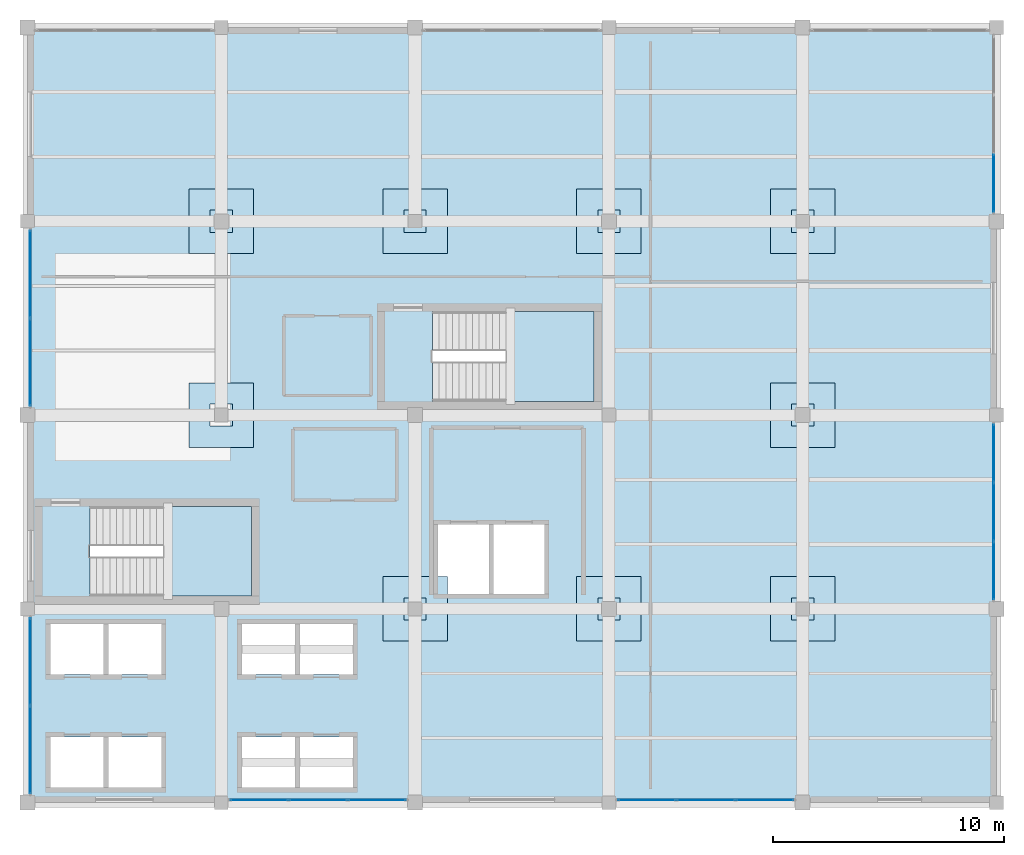
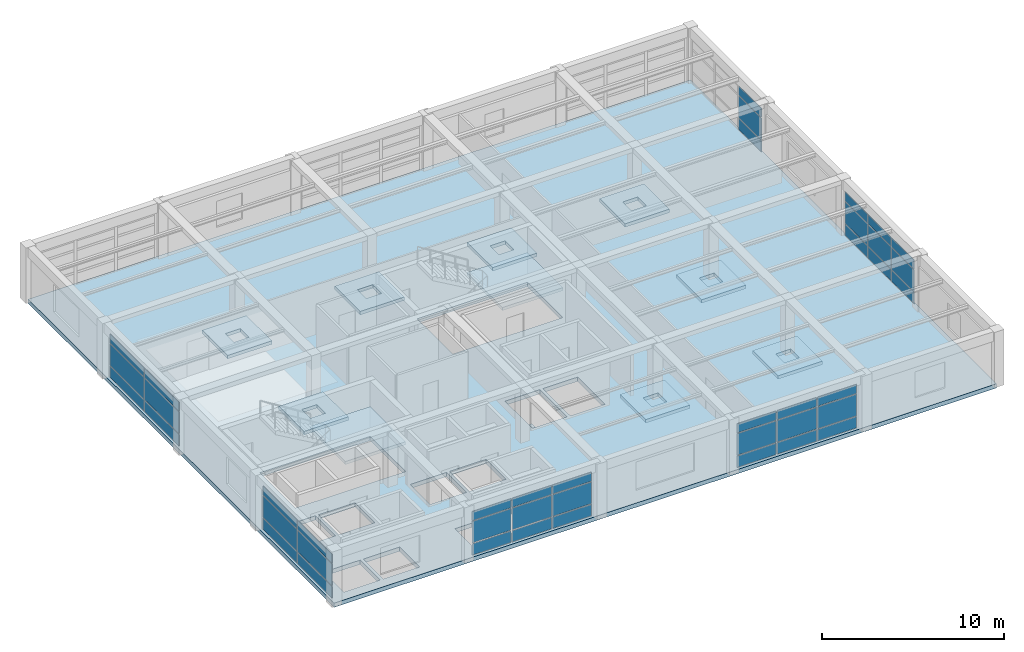
# One storey, part 22 of 26: 42 plates, 12 slabs, 8 elements without a shape of their own.
"""IFC4 building model written with IfcOpenShell, lengths in metres."""

from ifc_helpers import new_model, si_unit, direction, frame, origin, origin_2d, place, context, subcontext, project, spatial, polyline, rectangle, outline, extrude, material, layer, layer_set, type_object, element, aggregate, save


model = new_model("IFC4")

# Units and contexts
model_context = context("Model", 3, precision=1e-05, world=origin(), true_north=direction((0.0, 1.0)))
body_context = subcontext(model_context, "Body", "Model", "MODEL_VIEW")
ifc_project = project(units=[si_unit("LENGTHUNIT", "METRE"), si_unit("AREAUNIT", "SQUARE_METRE"), si_unit("VOLUMEUNIT", "CUBIC_METRE"), si_unit("PLANEANGLEUNIT", "RADIAN"), si_unit("MASSUNIT", "GRAM", prefix="KILO")], contexts=[model_context])

# Site, building, storey
site_placement = place(None, origin())
site = spatial("IfcSite", under=ifc_project, at=site_placement, CompositionType="ELEMENT")
building_placement = place(site_placement, origin())
building = spatial("IfcBuilding", under=site, at=building_placement, Name="Almacenes y Pasaje Nevantli", CompositionType="ELEMENT")
storey_placement = place(building_placement, frame((0.0, 0.0, 46.699951171875)))
storey = spatial("IfcBuildingStorey", under=building, at=storey_placement, Name="L11", CompositionType="ELEMENT", Elevation=46.699951171875)

# Curtain wall, plates
ifc_material_1 = material(Name="Thermally Broken Aluminium and Low-E Glass", Category="aluminium")
curtain_wall_type = type_object("IfcCurtainWallType", Name="CW-UNIT-TOWER", PredefinedType="USERDEFINED", material=ifc_material_1)
curtain_wall_1_placement = place(storey_placement, origin())
curtain_wall_1 = element("IfcCurtainWall", 1, at=curtain_wall_1_placement, inside=storey, type_object=curtain_wall_type, Name="L11 Tower South Unitized Curtain Wall Bay 16", ObjectType="UNITIZED CURTAIN WALL", PredefinedType="USERDEFINED")
ifc_material_2 = material(Name="Low-E Double Glazed Insulated Unit", Category="glass")
ifc_layer_1 = layer(ifc_material_2, 0.031982421875)
ifc_layer_set_1 = layer_set([ifc_layer_1], Name="Low-E Double Glazed Insulated Unit")
plate_type_1 = type_object("IfcPlateType", Name="PL-IGU-32", PredefinedType="CURTAIN_PANEL", material=ifc_layer_set_1)
plate_1_placement = place(storey_placement, frame((127.6484375, 67.320068359375, 0.06005859375), z_axis=(0.0, 0.0, 1.0), x_axis=(1.0, 0.0, 0.0)))
plate_1 = element("IfcPlate", 2, at=plate_1_placement, type_object=plate_type_1, Name="CW-L11-151 panel 1.1", PredefinedType="CURTAIN_PANEL", context=body_context, shape_type="SweptSolid", body=[
    extrude(rectangle(XDim=2.4765625, YDim=0.031982421875, at=origin_2d()), origin(), (0.0, 0.0, 1.0), 0.760009765625),
])
plate_2_placement = place(storey_placement, frame((127.6484375, 67.320068359375, 0.880126953125), z_axis=(0.0, 0.0, 1.0), x_axis=(1.0, 0.0, 0.0)))
plate_2 = element("IfcPlate", 3, at=plate_2_placement, type_object=plate_type_1, Name="CW-L11-151 panel 1.2", PredefinedType="CURTAIN_PANEL", context=body_context, shape_type="SweptSolid", body=[
    extrude(rectangle(XDim=2.4765625, YDim=0.031982421875, at=origin_2d()), origin(), (0.0, 0.0, 1.0), 1.43994140625),
])
plate_3_placement = place(storey_placement, frame((127.6484375, 67.320068359375, 2.3798828125), z_axis=(0.0, 0.0, 1.0), x_axis=(1.0, 0.0, 0.0)))
plate_3 = element("IfcPlate", 4, at=plate_3_placement, type_object=plate_type_1, Name="CW-L11-151 panel 1.3", PredefinedType="CURTAIN_PANEL", context=body_context, shape_type="SweptSolid", body=[
    extrude(rectangle(XDim=2.4765625, YDim=0.031982421875, at=origin_2d()), origin(), (0.0, 0.0, 1.0), 0.60009765625),
])
plate_4_placement = place(storey_placement, frame((130.199951171875, 67.320068359375, 0.06005859375), z_axis=(0.0, 0.0, 1.0), x_axis=(1.0, 0.0, 0.0)))
plate_4 = element("IfcPlate", 5, at=plate_4_placement, type_object=plate_type_1, Name="CW-L11-151 panel 2.1", PredefinedType="CURTAIN_PANEL", context=body_context, shape_type="SweptSolid", body=[
    extrude(rectangle(XDim=2.506591796875, YDim=0.031982421875, at=origin_2d()), origin(), (0.0, 0.0, 1.0), 0.760009765625),
])
plate_5_placement = place(storey_placement, frame((130.199951171875, 67.320068359375, 0.880126953125), z_axis=(0.0, 0.0, 1.0), x_axis=(1.0, 0.0, 0.0)))
plate_5 = element("IfcPlate", 6, at=plate_5_placement, type_object=plate_type_1, Name="CW-L11-151 panel 2.2", PredefinedType="CURTAIN_PANEL", context=body_context, shape_type="SweptSolid", body=[
    extrude(rectangle(XDim=2.506591796875, YDim=0.031982421875, at=origin_2d()), origin(), (0.0, 0.0, 1.0), 1.43994140625),
])
plate_6_placement = place(storey_placement, frame((130.199951171875, 67.320068359375, 2.3798828125), z_axis=(0.0, 0.0, 1.0), x_axis=(1.0, 0.0, 0.0)))
plate_6 = element("IfcPlate", 7, at=plate_6_placement, type_object=plate_type_1, Name="CW-L11-151 panel 2.3", PredefinedType="CURTAIN_PANEL", context=body_context, shape_type="SweptSolid", body=[
    extrude(rectangle(XDim=2.506591796875, YDim=0.031982421875, at=origin_2d()), origin(), (0.0, 0.0, 1.0), 0.60009765625),
])
plate_7_placement = place(storey_placement, frame((132.751708984375, 67.320068359375, 0.06005859375), z_axis=(0.0, 0.0, 1.0), x_axis=(1.0, 0.0, 0.0)))
plate_7 = element("IfcPlate", 8, at=plate_7_placement, type_object=plate_type_1, Name="CW-L11-151 panel 3.1", PredefinedType="CURTAIN_PANEL", context=body_context, shape_type="SweptSolid", body=[
    extrude(rectangle(XDim=2.4765625, YDim=0.031982421875, at=origin_2d()), origin(), (0.0, 0.0, 1.0), 0.760009765625),
])
plate_8_placement = place(storey_placement, frame((132.751708984375, 67.320068359375, 0.880126953125), z_axis=(0.0, 0.0, 1.0), x_axis=(1.0, 0.0, 0.0)))
plate_8 = element("IfcPlate", 9, at=plate_8_placement, type_object=plate_type_1, Name="CW-L11-151 panel 3.2", PredefinedType="CURTAIN_PANEL", context=body_context, shape_type="SweptSolid", body=[
    extrude(rectangle(XDim=2.4765625, YDim=0.031982421875, at=origin_2d()), origin(), (0.0, 0.0, 1.0), 1.43994140625),
])
plate_9_placement = place(storey_placement, frame((132.751708984375, 67.320068359375, 2.3798828125), z_axis=(0.0, 0.0, 1.0), x_axis=(1.0, 0.0, 0.0)))
plate_9 = element("IfcPlate", 10, at=plate_9_placement, type_object=plate_type_1, Name="CW-L11-151 panel 3.3", PredefinedType="CURTAIN_PANEL", context=body_context, shape_type="SweptSolid", body=[
    extrude(rectangle(XDim=2.4765625, YDim=0.031982421875, at=origin_2d()), origin(), (0.0, 0.0, 1.0), 0.60009765625),
])
aggregate(curtain_wall_1, [plate_1, plate_2, plate_3, plate_4, plate_5, plate_6, plate_7, plate_8, plate_9])

curtain_wall_2_placement = place(storey_placement, origin())
curtain_wall_2 = element("IfcCurtainWall", 11, at=curtain_wall_2_placement, inside=storey, type_object=curtain_wall_type, Name="L11 Tower South Unitized Curtain Wall Bay 18", ObjectType="UNITIZED CURTAIN WALL", PredefinedType="USERDEFINED")
plate_10_placement = place(storey_placement, frame((144.4482421875, 67.320068359375, 0.06005859375), z_axis=(0.0, 0.0, 1.0), x_axis=(1.0, 0.0, 0.0)))
plate_10 = element("IfcPlate", 12, at=plate_10_placement, type_object=plate_type_1, Name="CW-L11-153 panel 1.1", PredefinedType="CURTAIN_PANEL", context=body_context, shape_type="SweptSolid", body=[
    extrude(rectangle(XDim=2.4765625, YDim=0.031982421875, at=origin_2d()), origin(), (0.0, 0.0, 1.0), 0.760009765625),
])
plate_11_placement = place(storey_placement, frame((144.4482421875, 67.320068359375, 0.880126953125), z_axis=(0.0, 0.0, 1.0), x_axis=(1.0, 0.0, 0.0)))
plate_11 = element("IfcPlate", 13, at=plate_11_placement, type_object=plate_type_1, Name="CW-L11-153 panel 1.2", PredefinedType="CURTAIN_PANEL", context=body_context, shape_type="SweptSolid", body=[
    extrude(rectangle(XDim=2.4765625, YDim=0.031982421875, at=origin_2d()), origin(), (0.0, 0.0, 1.0), 1.43994140625),
])
plate_12_placement = place(storey_placement, frame((144.4482421875, 67.320068359375, 2.3798828125), z_axis=(0.0, 0.0, 1.0), x_axis=(1.0, 0.0, 0.0)))
plate_12 = element("IfcPlate", 14, at=plate_12_placement, type_object=plate_type_1, Name="CW-L11-153 panel 1.3", PredefinedType="CURTAIN_PANEL", context=body_context, shape_type="SweptSolid", body=[
    extrude(rectangle(XDim=2.4765625, YDim=0.031982421875, at=origin_2d()), origin(), (0.0, 0.0, 1.0), 0.60009765625),
])
plate_13_placement = place(storey_placement, frame((147.0, 67.320068359375, 0.06005859375), z_axis=(0.0, 0.0, 1.0), x_axis=(1.0, 0.0, 0.0)))
plate_13 = element("IfcPlate", 15, at=plate_13_placement, type_object=plate_type_1, Name="CW-L11-153 panel 2.1", PredefinedType="CURTAIN_PANEL", context=body_context, shape_type="SweptSolid", body=[
    extrude(rectangle(XDim=2.506591796875, YDim=0.031982421875, at=origin_2d()), origin(), (0.0, 0.0, 1.0), 0.760009765625),
])
plate_14_placement = place(storey_placement, frame((147.0, 67.320068359375, 0.880126953125), z_axis=(0.0, 0.0, 1.0), x_axis=(1.0, 0.0, 0.0)))
plate_14 = element("IfcPlate", 16, at=plate_14_placement, type_object=plate_type_1, Name="CW-L11-153 panel 2.2", PredefinedType="CURTAIN_PANEL", context=body_context, shape_type="SweptSolid", body=[
    extrude(rectangle(XDim=2.506591796875, YDim=0.031982421875, at=origin_2d()), origin(), (0.0, 0.0, 1.0), 1.43994140625),
])
plate_15_placement = place(storey_placement, frame((147.0, 67.320068359375, 2.3798828125), z_axis=(0.0, 0.0, 1.0), x_axis=(1.0, 0.0, 0.0)))
plate_15 = element("IfcPlate", 17, at=plate_15_placement, type_object=plate_type_1, Name="CW-L11-153 panel 2.3", PredefinedType="CURTAIN_PANEL", context=body_context, shape_type="SweptSolid", body=[
    extrude(rectangle(XDim=2.506591796875, YDim=0.031982421875, at=origin_2d()), origin(), (0.0, 0.0, 1.0), 0.60009765625),
])
plate_16_placement = place(storey_placement, frame((149.5517578125, 67.320068359375, 0.06005859375), z_axis=(0.0, 0.0, 1.0), x_axis=(1.0, 0.0, 0.0)))
plate_16 = element("IfcPlate", 18, at=plate_16_placement, type_object=plate_type_1, Name="CW-L11-153 panel 3.1", PredefinedType="CURTAIN_PANEL", context=body_context, shape_type="SweptSolid", body=[
    extrude(rectangle(XDim=2.4765625, YDim=0.031982421875, at=origin_2d()), origin(), (0.0, 0.0, 1.0), 0.760009765625),
])
plate_17_placement = place(storey_placement, frame((149.5517578125, 67.320068359375, 0.880126953125), z_axis=(0.0, 0.0, 1.0), x_axis=(1.0, 0.0, 0.0)))
plate_17 = element("IfcPlate", 19, at=plate_17_placement, type_object=plate_type_1, Name="CW-L11-153 panel 3.2", PredefinedType="CURTAIN_PANEL", context=body_context, shape_type="SweptSolid", body=[
    extrude(rectangle(XDim=2.4765625, YDim=0.031982421875, at=origin_2d()), origin(), (0.0, 0.0, 1.0), 1.43994140625),
])
plate_18_placement = place(storey_placement, frame((149.5517578125, 67.320068359375, 2.3798828125), z_axis=(0.0, 0.0, 1.0), x_axis=(1.0, 0.0, 0.0)))
plate_18 = element("IfcPlate", 20, at=plate_18_placement, type_object=plate_type_1, Name="CW-L11-153 panel 3.3", PredefinedType="CURTAIN_PANEL", context=body_context, shape_type="SweptSolid", body=[
    extrude(rectangle(XDim=2.4765625, YDim=0.031982421875, at=origin_2d()), origin(), (0.0, 0.0, 1.0), 0.60009765625),
])
aggregate(curtain_wall_2, [plate_10, plate_11, plate_12, plate_13, plate_14, plate_15, plate_16, plate_17, plate_18])

curtain_wall_3_placement = place(storey_placement, origin())
curtain_wall_3 = element("IfcCurtainWall", 21, at=curtain_wall_3_placement, inside=storey, type_object=curtain_wall_type, Name="L11 Tower West Curtain Wall Bay 9", ObjectType="UNITIZED CURTAIN WALL", PredefinedType="USERDEFINED")
plate_19_placement = place(storey_placement, frame((117.719970703125, 69.489990234375, 0.06005859375), z_axis=(0.0, 0.0, 1.0), x_axis=(0.0, 1.0, 0.0)))
plate_19 = element("IfcPlate", 22, at=plate_19_placement, type_object=plate_type_1, Name="CW-L11-155 panel 1.1", PredefinedType="CURTAIN_PANEL", context=body_context, shape_type="SweptSolid", body=[
    extrude(rectangle(XDim=3.760009765625, YDim=0.031982421875, at=origin_2d()), origin(), (0.0, 0.0, 1.0), 0.760009765625),
])
plate_20_placement = place(storey_placement, frame((117.719970703125, 69.489990234375, 0.880126953125), z_axis=(0.0, 0.0, 1.0), x_axis=(0.0, 1.0, 0.0)))
plate_20 = element("IfcPlate", 23, at=plate_20_placement, type_object=plate_type_1, Name="CW-L11-155 panel 1.2", PredefinedType="CURTAIN_PANEL", context=body_context, shape_type="SweptSolid", body=[
    extrude(rectangle(XDim=3.760009765625, YDim=0.031982421875, at=origin_2d()), origin(), (0.0, 0.0, 1.0), 1.43994140625),
])
plate_21_placement = place(storey_placement, frame((117.719970703125, 69.489990234375, 2.3798828125), z_axis=(0.0, 0.0, 1.0), x_axis=(0.0, 1.0, 0.0)))
plate_21 = element("IfcPlate", 24, at=plate_21_placement, type_object=plate_type_1, Name="CW-L11-155 panel 1.3", PredefinedType="CURTAIN_PANEL", context=body_context, shape_type="SweptSolid", body=[
    extrude(rectangle(XDim=3.760009765625, YDim=0.031982421875, at=origin_2d()), origin(), (0.0, 0.0, 1.0), 0.60009765625),
])
plate_22_placement = place(storey_placement, frame((117.719970703125, 73.31005859375, 0.06005859375), z_axis=(0.0, 0.0, 1.0), x_axis=(0.0, 1.0, 0.0)))
plate_22 = element("IfcPlate", 25, at=plate_22_placement, type_object=plate_type_1, Name="CW-L11-155 panel 2.1", PredefinedType="CURTAIN_PANEL", context=body_context, shape_type="SweptSolid", body=[
    extrude(rectangle(XDim=3.760009765625, YDim=0.031982421875, at=origin_2d()), origin(), (0.0, 0.0, 1.0), 0.760009765625),
])
plate_23_placement = place(storey_placement, frame((117.719970703125, 73.31005859375, 0.880126953125), z_axis=(0.0, 0.0, 1.0), x_axis=(0.0, 1.0, 0.0)))
plate_23 = element("IfcPlate", 26, at=plate_23_placement, type_object=plate_type_1, Name="CW-L11-155 panel 2.2", PredefinedType="CURTAIN_PANEL", context=body_context, shape_type="SweptSolid", body=[
    extrude(rectangle(XDim=3.760009765625, YDim=0.031982421875, at=origin_2d()), origin(), (0.0, 0.0, 1.0), 1.43994140625),
])
plate_24_placement = place(storey_placement, frame((117.719970703125, 73.31005859375, 2.3798828125), z_axis=(0.0, 0.0, 1.0), x_axis=(0.0, 1.0, 0.0)))
plate_24 = element("IfcPlate", 27, at=plate_24_placement, type_object=plate_type_1, Name="CW-L11-155 panel 2.3", PredefinedType="CURTAIN_PANEL", context=body_context, shape_type="SweptSolid", body=[
    extrude(rectangle(XDim=3.760009765625, YDim=0.031982421875, at=origin_2d()), origin(), (0.0, 0.0, 1.0), 0.60009765625),
])
aggregate(curtain_wall_3, [plate_19, plate_20, plate_21, plate_22, plate_23, plate_24])

curtain_wall_4_placement = place(storey_placement, origin())
curtain_wall_4 = element("IfcCurtainWall", 28, at=curtain_wall_4_placement, inside=storey, type_object=curtain_wall_type, Name="L11 Tower West Curtain Wall Bay 11", ObjectType="UNITIZED CURTAIN WALL", PredefinedType="USERDEFINED")
plate_25_placement = place(storey_placement, frame((117.719970703125, 86.2900390625, 0.06005859375), z_axis=(0.0, 0.0, 1.0), x_axis=(0.0, 1.0, 0.0)))
plate_25 = element("IfcPlate", 29, at=plate_25_placement, type_object=plate_type_1, Name="CW-L11-157 panel 1.1", PredefinedType="CURTAIN_PANEL", context=body_context, shape_type="SweptSolid", body=[
    extrude(rectangle(XDim=3.760009765625, YDim=0.031982421875, at=origin_2d()), origin(), (0.0, 0.0, 1.0), 0.760009765625),
])
plate_26_placement = place(storey_placement, frame((117.719970703125, 86.2900390625, 0.880126953125), z_axis=(0.0, 0.0, 1.0), x_axis=(0.0, 1.0, 0.0)))
plate_26 = element("IfcPlate", 30, at=plate_26_placement, type_object=plate_type_1, Name="CW-L11-157 panel 1.2", PredefinedType="CURTAIN_PANEL", context=body_context, shape_type="SweptSolid", body=[
    extrude(rectangle(XDim=3.760009765625, YDim=0.031982421875, at=origin_2d()), origin(), (0.0, 0.0, 1.0), 1.43994140625),
])
plate_27_placement = place(storey_placement, frame((117.719970703125, 86.2900390625, 2.3798828125), z_axis=(0.0, 0.0, 1.0), x_axis=(0.0, 1.0, 0.0)))
plate_27 = element("IfcPlate", 31, at=plate_27_placement, type_object=plate_type_1, Name="CW-L11-157 panel 1.3", PredefinedType="CURTAIN_PANEL", context=body_context, shape_type="SweptSolid", body=[
    extrude(rectangle(XDim=3.760009765625, YDim=0.031982421875, at=origin_2d()), origin(), (0.0, 0.0, 1.0), 0.60009765625),
])
plate_28_placement = place(storey_placement, frame((117.719970703125, 90.110107421875, 0.06005859375), z_axis=(0.0, 0.0, 1.0), x_axis=(0.0, 1.0, 0.0)))
plate_28 = element("IfcPlate", 32, at=plate_28_placement, type_object=plate_type_1, Name="CW-L11-157 panel 2.1", PredefinedType="CURTAIN_PANEL", context=body_context, shape_type="SweptSolid", body=[
    extrude(rectangle(XDim=3.760009765625, YDim=0.031982421875, at=origin_2d()), origin(), (0.0, 0.0, 1.0), 0.760009765625),
])
plate_29_placement = place(storey_placement, frame((117.719970703125, 90.110107421875, 0.880126953125), z_axis=(0.0, 0.0, 1.0), x_axis=(0.0, 1.0, 0.0)))
plate_29 = element("IfcPlate", 33, at=plate_29_placement, type_object=plate_type_1, Name="CW-L11-157 panel 2.2", PredefinedType="CURTAIN_PANEL", context=body_context, shape_type="SweptSolid", body=[
    extrude(rectangle(XDim=3.760009765625, YDim=0.031982421875, at=origin_2d()), origin(), (0.0, 0.0, 1.0), 1.43994140625),
])
plate_30_placement = place(storey_placement, frame((117.719970703125, 90.110107421875, 2.3798828125), z_axis=(0.0, 0.0, 1.0), x_axis=(0.0, 1.0, 0.0)))
plate_30 = element("IfcPlate", 34, at=plate_30_placement, type_object=plate_type_1, Name="CW-L11-157 panel 2.3", PredefinedType="CURTAIN_PANEL", context=body_context, shape_type="SweptSolid", body=[
    extrude(rectangle(XDim=3.760009765625, YDim=0.031982421875, at=origin_2d()), origin(), (0.0, 0.0, 1.0), 0.60009765625),
])
aggregate(curtain_wall_4, [plate_25, plate_26, plate_27, plate_28, plate_29, plate_30])

curtain_wall_5_placement = place(storey_placement, origin())
curtain_wall_5 = element("IfcCurtainWall", 35, at=curtain_wall_5_placement, inside=storey, type_object=curtain_wall_type, Name="L11 Tower East Curtain Wall Bay 10", ObjectType="UNITIZED CURTAIN WALL", PredefinedType="USERDEFINED")
ifc_material_3 = material(Name="Acoustic Tempered Low-E Triple Glazed Unit", Category="glass")
ifc_layer_2 = layer(ifc_material_3, 0.0419921875)
ifc_layer_set_2 = layer_set([ifc_layer_2], Name="Acoustic Tempered Low-E Triple Glazed Unit")
plate_type_2 = type_object("IfcPlateType", Name="PL-IGU-42", PredefinedType="CURTAIN_PANEL", material=ifc_layer_set_2)
plate_31_placement = place(storey_placement, frame((159.47998046875, 77.248291015625, 0.06005859375), z_axis=(0.0, 0.0, 1.0), x_axis=(0.0, 1.0, 0.0)))
plate_31 = element("IfcPlate", 36, at=plate_31_placement, type_object=plate_type_2, Name="CW-L11-156 panel 1.1", PredefinedType="CURTAIN_PANEL", context=body_context, shape_type="SweptSolid", body=[
    extrude(rectangle(XDim=2.4765625, YDim=0.0419921875, at=origin_2d()), origin(), (0.0, 0.0, 1.0), 0.760009765625),
])
plate_32_placement = place(storey_placement, frame((159.47998046875, 77.248291015625, 0.880126953125), z_axis=(0.0, 0.0, 1.0), x_axis=(0.0, 1.0, 0.0)))
plate_32 = element("IfcPlate", 37, at=plate_32_placement, type_object=plate_type_2, Name="CW-L11-156 panel 1.2", PredefinedType="CURTAIN_PANEL", context=body_context, shape_type="SweptSolid", body=[
    extrude(rectangle(XDim=2.4765625, YDim=0.0419921875, at=origin_2d()), origin(), (0.0, 0.0, 1.0), 1.43994140625),
])
plate_33_placement = place(storey_placement, frame((159.47998046875, 77.248291015625, 2.3798828125), z_axis=(0.0, 0.0, 1.0), x_axis=(0.0, 1.0, 0.0)))
plate_33 = element("IfcPlate", 38, at=plate_33_placement, type_object=plate_type_2, Name="CW-L11-156 panel 1.3", PredefinedType="CURTAIN_PANEL", context=body_context, shape_type="SweptSolid", body=[
    extrude(rectangle(XDim=2.4765625, YDim=0.0419921875, at=origin_2d()), origin(), (0.0, 0.0, 1.0), 0.60009765625),
])
plate_34_placement = place(storey_placement, frame((159.47998046875, 79.800048828125, 0.06005859375), z_axis=(0.0, 0.0, 1.0), x_axis=(0.0, 1.0, 0.0)))
plate_34 = element("IfcPlate", 39, at=plate_34_placement, type_object=plate_type_2, Name="CW-L11-156 panel 2.1", PredefinedType="CURTAIN_PANEL", context=body_context, shape_type="SweptSolid", body=[
    extrude(rectangle(XDim=2.506591796875, YDim=0.0419921875, at=origin_2d()), origin(), (0.0, 0.0, 1.0), 0.760009765625),
])
plate_35_placement = place(storey_placement, frame((159.47998046875, 79.800048828125, 0.880126953125), z_axis=(0.0, 0.0, 1.0), x_axis=(0.0, 1.0, 0.0)))
plate_35 = element("IfcPlate", 40, at=plate_35_placement, type_object=plate_type_2, Name="CW-L11-156 panel 2.2", PredefinedType="CURTAIN_PANEL", context=body_context, shape_type="SweptSolid", body=[
    extrude(rectangle(XDim=2.506591796875, YDim=0.0419921875, at=origin_2d()), origin(), (0.0, 0.0, 1.0), 1.43994140625),
])
plate_36_placement = place(storey_placement, frame((159.47998046875, 79.800048828125, 2.3798828125), z_axis=(0.0, 0.0, 1.0), x_axis=(0.0, 1.0, 0.0)))
plate_36 = element("IfcPlate", 41, at=plate_36_placement, type_object=plate_type_2, Name="CW-L11-156 panel 2.3", PredefinedType="CURTAIN_PANEL", context=body_context, shape_type="SweptSolid", body=[
    extrude(rectangle(XDim=2.506591796875, YDim=0.0419921875, at=origin_2d()), origin(), (0.0, 0.0, 1.0), 0.60009765625),
])
plate_37_placement = place(storey_placement, frame((159.47998046875, 82.3515625, 0.06005859375), z_axis=(0.0, 0.0, 1.0), x_axis=(0.0, 1.0, 0.0)))
plate_37 = element("IfcPlate", 42, at=plate_37_placement, type_object=plate_type_2, Name="CW-L11-156 panel 3.1", PredefinedType="CURTAIN_PANEL", context=body_context, shape_type="SweptSolid", body=[
    extrude(rectangle(XDim=2.4765625, YDim=0.0419921875, at=origin_2d()), origin(), (0.0, 0.0, 1.0), 0.760009765625),
])
plate_38_placement = place(storey_placement, frame((159.47998046875, 82.3515625, 0.880126953125), z_axis=(0.0, 0.0, 1.0), x_axis=(0.0, 1.0, 0.0)))
plate_38 = element("IfcPlate", 43, at=plate_38_placement, type_object=plate_type_2, Name="CW-L11-156 panel 3.2", PredefinedType="CURTAIN_PANEL", context=body_context, shape_type="SweptSolid", body=[
    extrude(rectangle(XDim=2.4765625, YDim=0.0419921875, at=origin_2d()), origin(), (0.0, 0.0, 1.0), 1.43994140625),
])
plate_39_placement = place(storey_placement, frame((159.47998046875, 82.3515625, 2.3798828125), z_axis=(0.0, 0.0, 1.0), x_axis=(0.0, 1.0, 0.0)))
plate_39 = element("IfcPlate", 44, at=plate_39_placement, type_object=plate_type_2, Name="CW-L11-156 panel 3.3", PredefinedType="CURTAIN_PANEL", context=body_context, shape_type="SweptSolid", body=[
    extrude(rectangle(XDim=2.4765625, YDim=0.0419921875, at=origin_2d()), origin(), (0.0, 0.0, 1.0), 0.60009765625),
])
aggregate(curtain_wall_5, [plate_31, plate_32, plate_33, plate_34, plate_35, plate_36, plate_37, plate_38, plate_39])

curtain_wall_6_placement = place(storey_placement, origin())
curtain_wall_6 = element("IfcCurtainWall", 45, at=curtain_wall_6_placement, inside=storey, type_object=curtain_wall_type, Name="L11 Tower East Curtain Wall Bay 12", ObjectType="UNITIZED CURTAIN WALL", PredefinedType="USERDEFINED")
plate_40_placement = place(storey_placement, frame((159.47998046875, 94.04833984375, 0.06005859375), z_axis=(0.0, 0.0, 1.0), x_axis=(0.0, 1.0, 0.0)))
plate_40 = element("IfcPlate", 46, at=plate_40_placement, type_object=plate_type_2, Name="CW-L11-158 panel 1.1", PredefinedType="CURTAIN_PANEL", context=body_context, shape_type="SweptSolid", body=[
    extrude(rectangle(XDim=2.4765625, YDim=0.0419921875, at=origin_2d()), origin(), (0.0, 0.0, 1.0), 0.760009765625),
])
plate_41_placement = place(storey_placement, frame((159.47998046875, 94.04833984375, 0.880126953125), z_axis=(0.0, 0.0, 1.0), x_axis=(0.0, 1.0, 0.0)))
plate_41 = element("IfcPlate", 47, at=plate_41_placement, type_object=plate_type_2, Name="CW-L11-158 panel 1.2", PredefinedType="CURTAIN_PANEL", context=body_context, shape_type="SweptSolid", body=[
    extrude(rectangle(XDim=2.4765625, YDim=0.0419921875, at=origin_2d()), origin(), (0.0, 0.0, 1.0), 1.43994140625),
])
plate_42_placement = place(storey_placement, frame((159.47998046875, 94.04833984375, 2.3798828125), z_axis=(0.0, 0.0, 1.0), x_axis=(0.0, 1.0, 0.0)))
plate_42 = element("IfcPlate", 48, at=plate_42_placement, type_object=plate_type_2, Name="CW-L11-158 panel 1.3", PredefinedType="CURTAIN_PANEL", context=body_context, shape_type="SweptSolid", body=[
    extrude(rectangle(XDim=2.4765625, YDim=0.0419921875, at=origin_2d()), origin(), (0.0, 0.0, 1.0), 0.60009765625),
])
aggregate(curtain_wall_6, [plate_40, plate_41, plate_42])

# Slabs
ifc_material_4 = material(Name="Concrete C35/45", Category="concrete")
ifc_layer_3 = layer(ifc_material_4, 0.22998046875)
ifc_layer_set_3 = layer_set([ifc_layer_3], Name="Concrete C35/45")
slab_type_1 = type_object("IfcSlabType", Name="SLB-DP-230", PredefinedType="USERDEFINED", material=ifc_layer_set_3)
slab_1_placement = place(storey_placement, frame((0.0, 0.0, -0.510009765625)))
element("IfcSlab", 49, at=slab_1_placement, inside=storey, type_object=slab_type_1, Name="L11 Punching-Shear Drop Panel DP-01 #1152", ObjectType="DROP PANEL", PredefinedType="USERDEFINED", context=body_context, shape_type="SweptSolid", body=[
    extrude(outline(polyline([(124.60009765625, 82.60009765625), (127.39990234375, 82.60009765625), (127.39990234375, 85.39990234375), (124.60009765625, 85.39990234375), (124.60009765625, 82.60009765625)]), holes=[polyline([(125.52001953125, 83.52001953125), (126.47998046875, 83.52001953125), (126.47998046875, 84.47998046875), (125.52001953125, 84.47998046875), (125.52001953125, 83.52001953125)])]), origin(), (0.0, 0.0, 1.0), 0.22998046875),
])
slab_2_placement = place(storey_placement, frame((0.0, 0.0, -0.510009765625)))
element("IfcSlab", 50, at=slab_2_placement, inside=storey, type_object=slab_type_1, Name="L11 Punching-Shear Drop Panel DP-01 #1153", ObjectType="DROP PANEL", PredefinedType="USERDEFINED", context=body_context, shape_type="SweptSolid", body=[
    extrude(outline(polyline([(124.60009765625, 91.0), (127.39990234375, 91.0), (127.39990234375, 93.800048828125), (124.60009765625, 93.800048828125), (124.60009765625, 91.0)]), holes=[polyline([(125.52001953125, 91.919921875), (126.47998046875, 91.919921875), (126.47998046875, 92.8798828125), (125.52001953125, 92.8798828125), (125.52001953125, 91.919921875)])]), origin(), (0.0, 0.0, 1.0), 0.22998046875),
])
slab_3_placement = place(storey_placement, frame((0.0, 0.0, -0.510009765625)))
element("IfcSlab", 51, at=slab_3_placement, inside=storey, type_object=slab_type_1, Name="L11 Punching-Shear Drop Panel DP-01 #1154", ObjectType="DROP PANEL", PredefinedType="USERDEFINED", context=body_context, shape_type="SweptSolid", body=[
    extrude(outline(polyline([(133.0, 74.199951171875), (135.800048828125, 74.199951171875), (135.800048828125, 77.0), (133.0, 77.0), (133.0, 74.199951171875)]), holes=[polyline([(133.919921875, 75.1201171875), (134.8798828125, 75.1201171875), (134.8798828125, 76.080078125), (133.919921875, 76.080078125), (133.919921875, 75.1201171875)])]), origin(), (0.0, 0.0, 1.0), 0.22998046875),
])
slab_4_placement = place(storey_placement, frame((0.0, 0.0, -0.510009765625)))
element("IfcSlab", 52, at=slab_4_placement, inside=storey, type_object=slab_type_1, Name="L11 Punching-Shear Drop Panel DP-01 #1155", ObjectType="DROP PANEL", PredefinedType="USERDEFINED", context=body_context, shape_type="SweptSolid", body=[
    extrude(outline(polyline([(133.0, 91.0), (135.800048828125, 91.0), (135.800048828125, 93.800048828125), (133.0, 93.800048828125), (133.0, 91.0)]), holes=[polyline([(133.919921875, 91.919921875), (134.8798828125, 91.919921875), (134.8798828125, 92.8798828125), (133.919921875, 92.8798828125), (133.919921875, 91.919921875)])]), origin(), (0.0, 0.0, 1.0), 0.22998046875),
])
slab_5_placement = place(storey_placement, frame((0.0, 0.0, -0.510009765625)))
element("IfcSlab", 53, at=slab_5_placement, inside=storey, type_object=slab_type_1, Name="L11 Punching-Shear Drop Panel DP-01 #1156", ObjectType="DROP PANEL", PredefinedType="USERDEFINED", context=body_context, shape_type="SweptSolid", body=[
    extrude(outline(polyline([(141.39990234375, 74.199951171875), (144.199951171875, 74.199951171875), (144.199951171875, 77.0), (141.39990234375, 77.0), (141.39990234375, 74.199951171875)]), holes=[polyline([(142.320068359375, 75.1201171875), (143.280029296875, 75.1201171875), (143.280029296875, 76.080078125), (142.320068359375, 76.080078125), (142.320068359375, 75.1201171875)])]), origin(), (0.0, 0.0, 1.0), 0.22998046875),
])
slab_6_placement = place(storey_placement, frame((0.0, 0.0, -0.510009765625)))
element("IfcSlab", 54, at=slab_6_placement, inside=storey, type_object=slab_type_1, Name="L11 Punching-Shear Drop Panel DP-01 #1157", ObjectType="DROP PANEL", PredefinedType="USERDEFINED", context=body_context, shape_type="SweptSolid", body=[
    extrude(outline(polyline([(141.39990234375, 91.0), (144.199951171875, 91.0), (144.199951171875, 93.800048828125), (141.39990234375, 93.800048828125), (141.39990234375, 91.0)]), holes=[polyline([(142.320068359375, 91.919921875), (143.280029296875, 91.919921875), (143.280029296875, 92.8798828125), (142.320068359375, 92.8798828125), (142.320068359375, 91.919921875)])]), origin(), (0.0, 0.0, 1.0), 0.22998046875),
])
slab_7_placement = place(storey_placement, frame((0.0, 0.0, -0.510009765625)))
element("IfcSlab", 55, at=slab_7_placement, inside=storey, type_object=slab_type_1, Name="L11 Punching-Shear Drop Panel DP-01 #1158", ObjectType="DROP PANEL", PredefinedType="USERDEFINED", context=body_context, shape_type="SweptSolid", body=[
    extrude(outline(polyline([(149.800048828125, 74.199951171875), (152.60009765625, 74.199951171875), (152.60009765625, 77.0), (149.800048828125, 77.0), (149.800048828125, 74.199951171875)]), holes=[polyline([(150.719970703125, 75.1201171875), (151.679931640625, 75.1201171875), (151.679931640625, 76.080078125), (150.719970703125, 76.080078125), (150.719970703125, 75.1201171875)])]), origin(), (0.0, 0.0, 1.0), 0.22998046875),
])
slab_8_placement = place(storey_placement, frame((0.0, 0.0, -0.510009765625)))
element("IfcSlab", 56, at=slab_8_placement, inside=storey, type_object=slab_type_1, Name="L11 Punching-Shear Drop Panel DP-01 #1159", ObjectType="DROP PANEL", PredefinedType="USERDEFINED", context=body_context, shape_type="SweptSolid", body=[
    extrude(outline(polyline([(149.800048828125, 82.60009765625), (152.60009765625, 82.60009765625), (152.60009765625, 85.39990234375), (149.800048828125, 85.39990234375), (149.800048828125, 82.60009765625)]), holes=[polyline([(150.719970703125, 83.52001953125), (151.679931640625, 83.52001953125), (151.679931640625, 84.47998046875), (150.719970703125, 84.47998046875), (150.719970703125, 83.52001953125)])]), origin(), (0.0, 0.0, 1.0), 0.22998046875),
])
slab_9_placement = place(storey_placement, frame((0.0, 0.0, -0.510009765625)))
element("IfcSlab", 57, at=slab_9_placement, inside=storey, type_object=slab_type_1, Name="L11 Punching-Shear Drop Panel DP-01 #1160", ObjectType="DROP PANEL", PredefinedType="USERDEFINED", context=body_context, shape_type="SweptSolid", body=[
    extrude(outline(polyline([(149.800048828125, 91.0), (152.60009765625, 91.0), (152.60009765625, 93.800048828125), (149.800048828125, 93.800048828125), (149.800048828125, 91.0)]), holes=[polyline([(150.719970703125, 91.919921875), (151.679931640625, 91.919921875), (151.679931640625, 92.8798828125), (150.719970703125, 92.8798828125), (150.719970703125, 91.919921875)])]), origin(), (0.0, 0.0, 1.0), 0.22998046875),
])
ifc_material_5 = material(Name="Concrete C35/45", Category="concrete")
ifc_layer_4 = layer(ifc_material_5, 0.280029296875)
ifc_layer_set_4 = layer_set([ifc_layer_4], Name="Concrete C35/45")
slab_type_2 = type_object("IfcSlabType", Name="SLB-FLR-280", PredefinedType="FLOOR", material=ifc_layer_set_4)
slab_10_placement = place(storey_placement, frame((0.0, 0.0, -0.280029296875)))
element("IfcSlab", 58, at=slab_10_placement, inside=storey, type_object=slab_type_2, Name="L11 Corporate Office Tower Floor Slab", PredefinedType="FLOOR", context=body_context, shape_type="SweptSolid", body=[
    extrude(outline(polyline([(117.60009765625, 67.199951171875), (159.60009765625, 67.199951171875), (159.60009765625, 100.800048828125), (117.60009765625, 100.800048828125), (117.60009765625, 67.199951171875)]), holes=[polyline([(120.31494140625, 76.14990234375), (127.300048828125, 76.14990234375), (127.300048828125, 80.0400390625), (120.31494140625, 80.0400390625), (120.31494140625, 76.14990234375)]), polyline([(135.1650390625, 84.60009765625), (142.14990234375, 84.60009765625), (142.14990234375, 88.489990234375), (135.1650390625, 88.489990234375), (135.1650390625, 84.60009765625)]), polyline([(126.89990234375, 67.85009765625), (129.199951171875, 67.85009765625), (129.199951171875, 70.050048828125), (126.89990234375, 70.050048828125), (126.89990234375, 67.85009765625)]), polyline([(129.39990234375, 67.85009765625), (131.699951171875, 67.85009765625), (131.699951171875, 70.050048828125), (129.39990234375, 70.050048828125), (129.39990234375, 67.85009765625)]), polyline([(126.89990234375, 72.75), (129.199951171875, 72.75), (129.199951171875, 74.949951171875), (126.89990234375, 74.949951171875), (126.89990234375, 72.75)]), polyline([(129.39990234375, 72.75), (131.699951171875, 72.75), (131.699951171875, 74.949951171875), (129.39990234375, 74.949951171875), (129.39990234375, 72.75)]), polyline([(118.60009765625, 67.85009765625), (120.89990234375, 67.85009765625), (120.89990234375, 70.050048828125), (118.60009765625, 70.050048828125), (118.60009765625, 67.85009765625)]), polyline([(121.10009765625, 67.85009765625), (123.39990234375, 67.85009765625), (123.39990234375, 70.050048828125), (121.10009765625, 70.050048828125), (121.10009765625, 67.85009765625)]), polyline([(118.60009765625, 72.75), (120.89990234375, 72.75), (120.89990234375, 74.949951171875), (118.60009765625, 74.949951171875), (118.60009765625, 72.75)]), polyline([(121.10009765625, 72.75), (123.39990234375, 72.75), (123.39990234375, 74.949951171875), (121.10009765625, 74.949951171875), (121.10009765625, 72.75)]), polyline([(135.39990234375, 76.25), (137.60009765625, 76.25), (137.60009765625, 79.25), (135.39990234375, 79.25), (135.39990234375, 76.25)]), polyline([(137.800048828125, 76.25), (140.0, 76.25), (140.0, 79.25), (137.800048828125, 79.25), (137.800048828125, 76.25)])]), origin(), (0.0, 0.0, 1.0), 0.280029296875),
])

# Stair, slab
ifc_material_6 = material(Name="Concrete C35/45", Category="concrete")
stair_type = type_object("IfcStairType", Name="STR-CORE-1720", PredefinedType="HALF_TURN_STAIR", material=ifc_material_6)
stair_1_placement = place(storey_placement, origin())
stair_1 = element("IfcStair", 59, at=stair_1_placement, inside=storey, type_object=stair_type, Name="L11 Staircase ST-01", PredefinedType="HALF_TURN_STAIR")
ifc_material_7 = material(Name="Concrete C35/45", Category="concrete")
ifc_layer_5 = layer(ifc_material_7, 0.199951171875)
ifc_layer_set_5 = layer_set([ifc_layer_5], Name="Concrete C35/45")
slab_type_3 = type_object("IfcSlabType", Name="SLB-LAND-200", PredefinedType="LANDING", material=ifc_layer_set_5)
slab_11_placement = place(storey_placement, frame((0.0, 0.0, 1.800048828125)))
slab_11 = element("IfcSlab", 60, at=slab_11_placement, type_object=slab_type_3, Name="ST-01-L11 landing 1", PredefinedType="LANDING", context=body_context, shape_type="SweptSolid", body=[
    extrude(outline(polyline([(123.47509765625, 76.14990234375), (127.300048828125, 76.14990234375), (127.300048828125, 80.0400390625), (123.47509765625, 80.0400390625), (123.47509765625, 76.14990234375)])), origin(), (0.0, 0.0, 1.0), 0.199951171875),
])
aggregate(stair_1, [slab_11])

stair_2_placement = place(storey_placement, origin())
stair_2 = element("IfcStair", 61, at=stair_2_placement, inside=storey, type_object=stair_type, Name="L11 Staircase ST-02", PredefinedType="HALF_TURN_STAIR")
slab_12_placement = place(storey_placement, frame((0.0, 0.0, 1.800048828125)))
slab_12 = element("IfcSlab", 62, at=slab_12_placement, type_object=slab_type_3, Name="ST-02-L11 landing 1", PredefinedType="LANDING", context=body_context, shape_type="SweptSolid", body=[
    extrude(outline(polyline([(138.324951171875, 84.60009765625), (142.14990234375, 84.60009765625), (142.14990234375, 88.489990234375), (138.324951171875, 88.489990234375), (138.324951171875, 84.60009765625)])), origin(), (0.0, 0.0, 1.0), 0.199951171875),
])
aggregate(stair_2, [slab_12])

save(model, "model.ifc")
